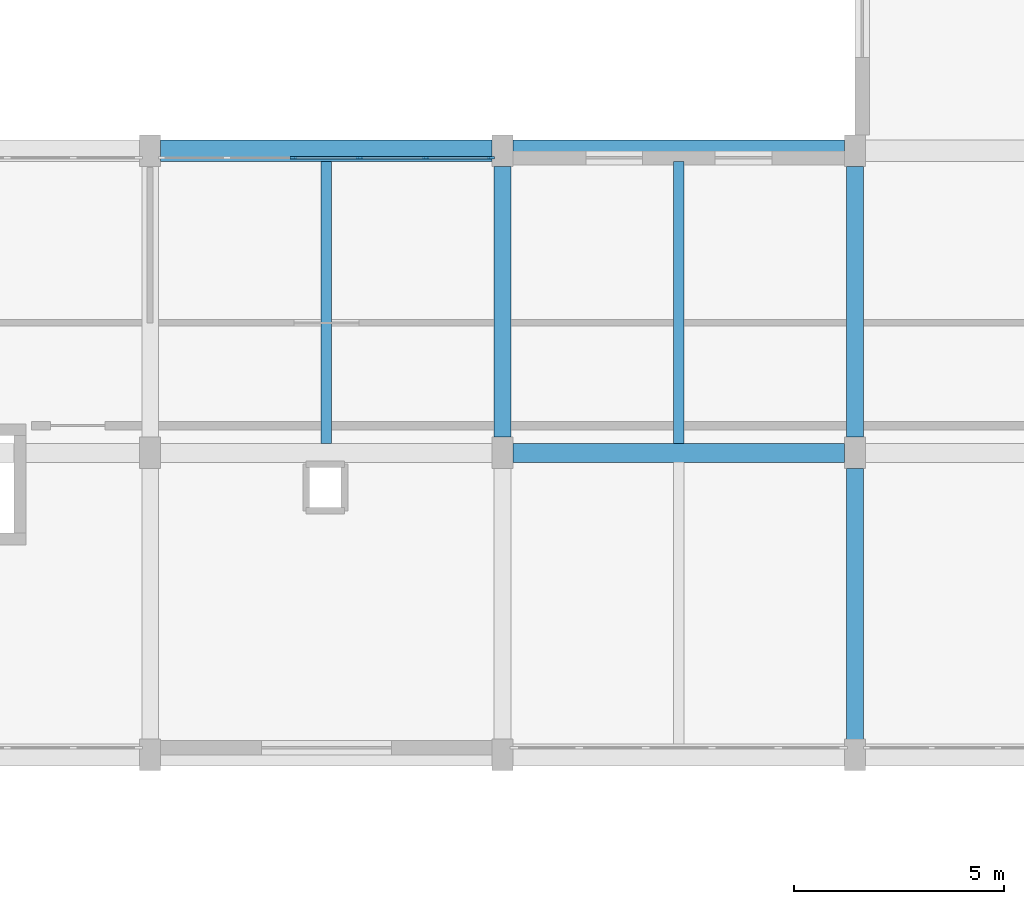
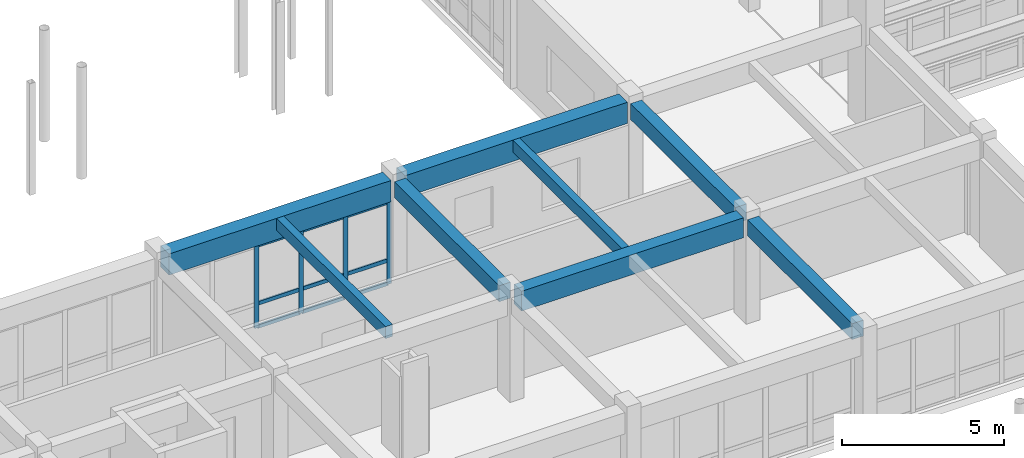
# One storey, part 73 of 147: 13 members, 8 beams, 1 element without a shape of its own.
"""IFC4 building model written with IfcOpenShell, lengths in metres."""

from ifc_helpers import new_model, si_unit, direction, frame, origin, origin_2d, place, context, subcontext, project, spatial, rectangle, extrude, material, material_profile, profile_set, type_object, element, aggregate, save


model = new_model("IFC4")

# Units and contexts
model_context = context("Model", 3, precision=1e-05, world=origin(), true_north=direction((0.0, 1.0)))
body_context = subcontext(model_context, "Body", "Model", "MODEL_VIEW")
ifc_project = project(units=[si_unit("LENGTHUNIT", "METRE"), si_unit("AREAUNIT", "SQUARE_METRE"), si_unit("VOLUMEUNIT", "CUBIC_METRE"), si_unit("PLANEANGLEUNIT", "RADIAN"), si_unit("MASSUNIT", "GRAM", prefix="KILO")], contexts=[model_context])

# Site, building, storey
site_placement = place(None, origin())
site = spatial("IfcSite", under=ifc_project, at=site_placement, CompositionType="ELEMENT")
building_placement = place(site_placement, origin())
building = spatial("IfcBuilding", under=site, at=building_placement, Name="Malvenik Polytechnic", CompositionType="ELEMENT")
storey_placement = place(building_placement, frame((0.0, 0.0, 5.10009765625)))
storey = spatial("IfcBuildingStorey", under=building, at=storey_placement, Name="L01", CompositionType="ELEMENT", Elevation=5.10009765625)

# Curtain wall, members
ifc_material_1 = material(Name="Anodised aluminium 6060-T6", Category="aluminium")
curtain_wall_type = type_object("IfcCurtainWallType", Name="ARC-CW-CW-02", PredefinedType="NOTDEFINED", material=ifc_material_1)
curtain_wall_placement = place(storey_placement, origin())
curtain_wall = element("IfcCurtainWall", 1, at=curtain_wall_placement, inside=storey, type_object=curtain_wall_type, Name="Unitised Curtain Wall CW-02 L01 #62", PredefinedType="NOTDEFINED")
ifc_material_2 = material(Name="Anodised aluminium", Category="aluminium")
ifc_material_profile_1 = material_profile(ifc_material_2, rectangle(XDim=0.06005859375, YDim=0.159912109375, at=origin_2d()), Name="ALU MULLION 60x160")
ifc_profile_set_1 = profile_set([ifc_material_profile_1], Name="Anodised aluminium")
member_type_1 = type_object("IfcMemberType", Name="ARC-CWM-160", PredefinedType="MULLION", material=ifc_profile_set_1)
member_1_placement = place(storey_placement, frame((112.609619140625, 93.429931640625, 0.0), z_axis=(0.0, 0.0, 1.0), x_axis=(0.0, 1.0, 0.0)))
member_1 = element("IfcMember", 2, at=member_1_placement, type_object=member_type_1, Name="CW-02 mullion 3", PredefinedType="MULLION", context=body_context, shape_type="SweptSolid", body=[
    extrude(rectangle(XDim=0.06005859375, YDim=0.159912109375, at=origin_2d()), origin(), (0.0, 0.0, 1.0), 3.10986328125),
])
member_2_placement = place(storey_placement, frame((114.1904296875, 93.429931640625, 0.0), z_axis=(0.0, 0.0, 1.0), x_axis=(0.0, 1.0, 0.0)))
member_2 = element("IfcMember", 3, at=member_2_placement, type_object=member_type_1, Name="CW-02 mullion 4", PredefinedType="MULLION", context=body_context, shape_type="SweptSolid", body=[
    extrude(rectangle(XDim=0.06005859375, YDim=0.159912109375, at=origin_2d()), origin(), (0.0, 0.0, 1.0), 3.10986328125),
])
member_3_placement = place(storey_placement, frame((115.771240234375, 93.429931640625, 0.0), z_axis=(0.0, 0.0, 1.0), x_axis=(0.0, 1.0, 0.0)))
member_3 = element("IfcMember", 4, at=member_3_placement, type_object=member_type_1, Name="CW-02 mullion 5", PredefinedType="MULLION", context=body_context, shape_type="SweptSolid", body=[
    extrude(rectangle(XDim=0.06005859375, YDim=0.159912109375, at=origin_2d()), origin(), (0.0, 0.0, 1.0), 3.10986328125),
])
member_4_placement = place(storey_placement, frame((117.322021484375, 93.429931640625, 0.0), z_axis=(0.0, 0.0, 1.0), x_axis=(0.0, 1.0, 0.0)))
member_4 = element("IfcMember", 5, at=member_4_placement, type_object=member_type_1, Name="CW-02 mullion 6", PredefinedType="MULLION", context=body_context, shape_type="SweptSolid", body=[
    extrude(rectangle(XDim=0.06005859375, YDim=0.159912109375, at=origin_2d()), origin(), (0.0, 0.0, 1.0), 3.10986328125),
])
ifc_material_profile_2 = material_profile(ifc_material_2, rectangle(XDim=0.06005859375, YDim=0.139892578125, at=origin_2d()), Name="ALU TRANSOM 60x140")
ifc_profile_set_2 = profile_set([ifc_material_profile_2], Name="Anodised aluminium")
member_type_2 = type_object("IfcMemberType", Name="ARC-CWT-140", PredefinedType="USERDEFINED", material=ifc_profile_set_2)
member_5_placement = place(storey_placement, frame((112.6396484375, 93.429931640625, 0.02978515625), z_axis=(1.0, 0.0, 0.0), x_axis=(0.0, 1.0, 0.0)))
member_5 = element("IfcMember", 6, at=member_5_placement, type_object=member_type_2, Name="CW-02 transom 3.1", ObjectType="TRANSOM", PredefinedType="USERDEFINED", context=body_context, shape_type="SweptSolid", body=[
    extrude(rectangle(XDim=0.06005859375, YDim=0.139892578125, at=origin_2d()), origin(), (0.0, 0.0, 1.0), 1.520751953125),
])
member_6_placement = place(storey_placement, frame((112.6396484375, 93.429931640625, 0.89990234375), z_axis=(1.0, 0.0, 0.0), x_axis=(0.0, 1.0, 0.0)))
member_6 = element("IfcMember", 7, at=member_6_placement, type_object=member_type_2, Name="CW-02 transom 3.2", ObjectType="TRANSOM", PredefinedType="USERDEFINED", context=body_context, shape_type="SweptSolid", body=[
    extrude(rectangle(XDim=0.06005859375, YDim=0.139892578125, at=origin_2d()), origin(), (0.0, 0.0, 1.0), 1.520751953125),
])
member_7_placement = place(storey_placement, frame((112.6396484375, 93.429931640625, 3.079833984375), z_axis=(1.0, 0.0, 0.0), x_axis=(0.0, 1.0, 0.0)))
member_7 = element("IfcMember", 8, at=member_7_placement, type_object=member_type_2, Name="CW-02 transom 3.3", ObjectType="TRANSOM", PredefinedType="USERDEFINED", context=body_context, shape_type="SweptSolid", body=[
    extrude(rectangle(XDim=0.06005859375, YDim=0.139892578125, at=origin_2d()), origin(), (0.0, 0.0, 1.0), 1.520751953125),
])
member_8_placement = place(storey_placement, frame((114.220458984375, 93.429931640625, 0.02978515625), z_axis=(1.0, 0.0, 0.0), x_axis=(0.0, 1.0, 0.0)))
member_8 = element("IfcMember", 9, at=member_8_placement, type_object=member_type_2, Name="CW-02 transom 4.1", ObjectType="TRANSOM", PredefinedType="USERDEFINED", context=body_context, shape_type="SweptSolid", body=[
    extrude(rectangle(XDim=0.06005859375, YDim=0.139892578125, at=origin_2d()), origin(), (0.0, 0.0, 1.0), 1.520751953125),
])
member_9_placement = place(storey_placement, frame((114.220458984375, 93.429931640625, 0.89990234375), z_axis=(1.0, 0.0, 0.0), x_axis=(0.0, 1.0, 0.0)))
member_9 = element("IfcMember", 10, at=member_9_placement, type_object=member_type_2, Name="CW-02 transom 4.2", ObjectType="TRANSOM", PredefinedType="USERDEFINED", context=body_context, shape_type="SweptSolid", body=[
    extrude(rectangle(XDim=0.06005859375, YDim=0.139892578125, at=origin_2d()), origin(), (0.0, 0.0, 1.0), 1.520751953125),
])
member_10_placement = place(storey_placement, frame((114.220458984375, 93.429931640625, 3.079833984375), z_axis=(1.0, 0.0, 0.0), x_axis=(0.0, 1.0, 0.0)))
member_10 = element("IfcMember", 11, at=member_10_placement, type_object=member_type_2, Name="CW-02 transom 4.3", ObjectType="TRANSOM", PredefinedType="USERDEFINED", context=body_context, shape_type="SweptSolid", body=[
    extrude(rectangle(XDim=0.06005859375, YDim=0.139892578125, at=origin_2d()), origin(), (0.0, 0.0, 1.0), 1.520751953125),
])
member_11_placement = place(storey_placement, frame((115.80126953125, 93.429931640625, 0.02978515625), z_axis=(1.0, 0.0, 0.0), x_axis=(0.0, 1.0, 0.0)))
member_11 = element("IfcMember", 12, at=member_11_placement, type_object=member_type_2, Name="CW-02 transom 5.1", ObjectType="TRANSOM", PredefinedType="USERDEFINED", context=body_context, shape_type="SweptSolid", body=[
    extrude(rectangle(XDim=0.06005859375, YDim=0.139892578125, at=origin_2d()), origin(), (0.0, 0.0, 1.0), 1.49072265625),
])
member_12_placement = place(storey_placement, frame((115.80126953125, 93.429931640625, 0.89990234375), z_axis=(1.0, 0.0, 0.0), x_axis=(0.0, 1.0, 0.0)))
member_12 = element("IfcMember", 13, at=member_12_placement, type_object=member_type_2, Name="CW-02 transom 5.2", ObjectType="TRANSOM", PredefinedType="USERDEFINED", context=body_context, shape_type="SweptSolid", body=[
    extrude(rectangle(XDim=0.06005859375, YDim=0.139892578125, at=origin_2d()), origin(), (0.0, 0.0, 1.0), 1.49072265625),
])
member_13_placement = place(storey_placement, frame((115.80126953125, 93.429931640625, 3.079833984375), z_axis=(1.0, 0.0, 0.0), x_axis=(0.0, 1.0, 0.0)))
member_13 = element("IfcMember", 14, at=member_13_placement, type_object=member_type_2, Name="CW-02 transom 5.3", ObjectType="TRANSOM", PredefinedType="USERDEFINED", context=body_context, shape_type="SweptSolid", body=[
    extrude(rectangle(XDim=0.06005859375, YDim=0.139892578125, at=origin_2d()), origin(), (0.0, 0.0, 1.0), 1.49072265625),
])
aggregate(curtain_wall, [member_1, member_2, member_3, member_4, member_5, member_6, member_7, member_8, member_9, member_10, member_11, member_12, member_13])

# Beams
ifc_material_3 = material(Name="Concrete C35/45", Category="concrete")
ifc_material_profile_3 = material_profile(ifc_material_3, rectangle(XDim=0.449951171875, YDim=0.75, at=origin_2d()), Name="RC BM 450x750")
ifc_profile_set_3 = profile_set([ifc_material_profile_3], Name="Concrete C35/45")
beam_type_1 = type_object("IfcBeamType", Name="STR-BM-B-03", PredefinedType="BEAM", material=ifc_profile_set_3)
beam_placement = place(storey_placement, frame((117.847900390625, 86.39990234375, 3.544921875), z_axis=(1.0, 0.0, 0.0), x_axis=(0.0, 1.0, 0.0)))
element("IfcBeam", 15, at=beam_placement, inside=storey, type_object=beam_type_1, Name="Primary Beam B-03 L01 #1067", PredefinedType="BEAM", context=body_context, shape_type="SweptSolid", body=[
    extrude(rectangle(XDim=0.449951171875, YDim=0.75, at=origin_2d()), origin(), (0.0, 0.0, 1.0), 7.904052734375),
])
ifc_material_profile_4 = material_profile(ifc_material_3, rectangle(XDim=0.39990234375, YDim=0.60009765625, at=origin_2d()), Name="RC BM 400x600")
ifc_profile_set_4 = profile_set([ifc_material_profile_4], Name="Concrete C35/45")
beam_type_2 = type_object("IfcBeamType", Name="STR-BM-B-06", PredefinedType="BEAM", material=ifc_profile_set_4)
for number, where, z_axis, x_axis, name in (
    (16, (117.60009765625, 86.77294921875, 3.619873046875), (0.0, 1.0, 0.0), (-1.0, 0.0, 0.0), "Transverse Beam B-06 L01 #1225"),
    (17, (126.0, 79.572998046875, 3.619873046875), (0.0, 1.0, 0.0), (-1.0, 0.0, 0.0), "Transverse Beam B-06 L01 #1235"),
    (18, (126.0, 86.77294921875, 3.619873046875), (0.0, 1.0, 0.0), (-1.0, 0.0, 0.0), "Transverse Beam B-06 L01 #1236"),
):
    element("IfcBeam", number, at=place(storey_placement, frame(where, z_axis=z_axis, x_axis=x_axis)), inside=storey, type_object=beam_type_2, Name=name, PredefinedType="BEAM", context=body_context, shape_type="SweptSolid", body=[
        extrude(rectangle(XDim=0.39990234375, YDim=0.60009765625, at=origin_2d()), origin(), (0.0, 0.0, 1.0), 6.4541015625),
    ])
ifc_material_4 = material(Name="Concrete C30/37", Category="concrete")
ifc_material_profile_5 = material_profile(ifc_material_4, rectangle(XDim=0.25, YDim=0.449951171875, at=origin_2d()), Name="RC JST 250x450")
ifc_profile_set_5 = profile_set([ifc_material_profile_5], Name="Concrete C30/37")
beam_type_3 = type_object("IfcBeamType", Name="STR-BM-J-02", PredefinedType="JOIST", material=ifc_profile_set_5)
for number, where, z_axis, x_axis, name in (
    (19, (113.39990234375, 86.623046875, 3.69482421875), (0.0, 1.0, 0.0), (-1.0, 0.0, 0.0), "Secondary Rib Joist J-02 L01 #1307"),
    (20, (121.800048828125, 86.623046875, 3.69482421875), (0.0, 1.0, 0.0), (-1.0, 0.0, 0.0), "Secondary Rib Joist J-02 L01 #1317"),
):
    element("IfcBeam", number, at=place(storey_placement, frame(where, z_axis=z_axis, x_axis=x_axis)), inside=storey, type_object=beam_type_3, Name=name, PredefinedType="JOIST", context=body_context, shape_type="SweptSolid", body=[
        extrude(rectangle(XDim=0.25, YDim=0.449951171875, at=origin_2d()), origin(), (0.0, 0.0, 1.0), 6.718994140625),
    ])
ifc_material_5 = material(Name="Precast concrete C40/50", Category="concrete")
ifc_material_profile_6 = material_profile(ifc_material_5, rectangle(XDim=0.52001953125, YDim=0.800048828125, at=origin_2d()), Name="PC SPN 520x800")
ifc_profile_set_6 = profile_set([ifc_material_profile_6], Name="Precast concrete C40/50")
beam_type_4 = type_object("IfcBeamType", Name="STR-BM-SP-01", PredefinedType="SPANDREL", material=ifc_profile_set_6)
for number, where, z_axis, x_axis, name in (
    (21, (109.447998046875, 93.60009765625, 3.52001953125), (1.0, 0.0, 0.0), (0.0, 1.0, 0.0), "Primary Beam SP-01 L01 #1082"),
    (22, (117.847900390625, 93.60009765625, 3.52001953125), (1.0, 0.0, 0.0), (0.0, 1.0, 0.0), "Primary Beam SP-01 L01 #1083"),
):
    element("IfcBeam", number, at=place(storey_placement, frame(where, z_axis=z_axis, x_axis=x_axis)), inside=storey, type_object=beam_type_4, Name=name, PredefinedType="SPANDREL", context=body_context, shape_type="SweptSolid", body=[
        extrude(rectangle(XDim=0.52001953125, YDim=0.800048828125, at=origin_2d()), origin(), (0.0, 0.0, 1.0), 7.904052734375),
    ])

save(model, "model.ifc")
